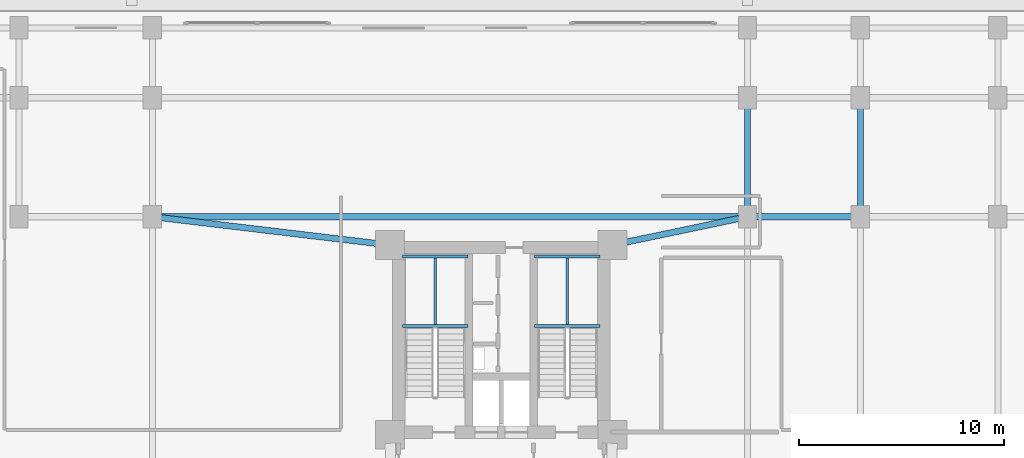
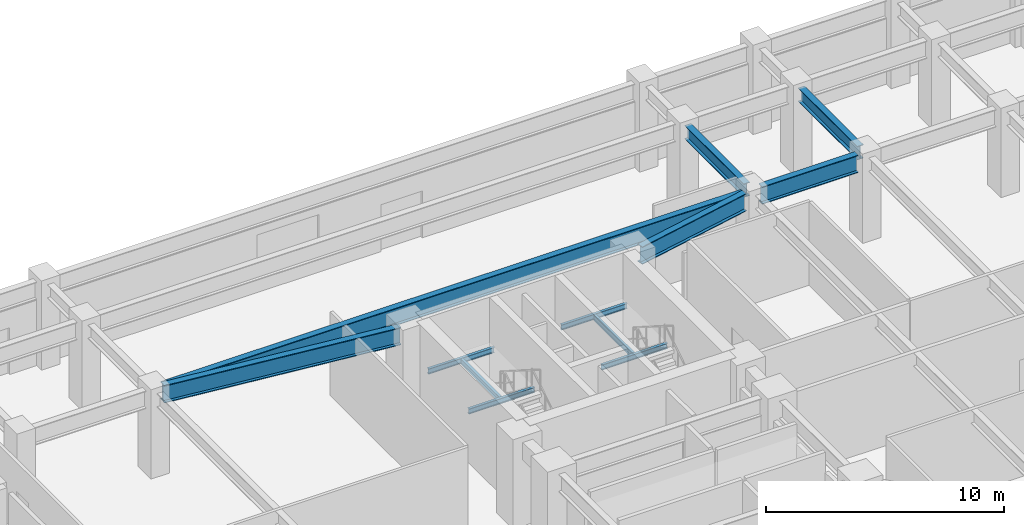
# One storey, part 8 of 23: 12 beams.
"""IFC4 building model written with IfcOpenShell, lengths in metres."""

from ifc_helpers import new_model, si_unit, direction, frame, origin, origin_2d, place, context, subcontext, project, spatial, i_section, extrude, material, material_profile, profile_set, type_object, element, save


model = new_model("IFC4")

# Units and contexts
model_context = context("Model", 3, precision=1e-05, world=origin(), true_north=direction((0.0, 1.0)))
body_context = subcontext(model_context, "Body", "Model", "MODEL_VIEW")
ifc_project = project(units=[si_unit("LENGTHUNIT", "METRE"), si_unit("AREAUNIT", "SQUARE_METRE"), si_unit("VOLUMEUNIT", "CUBIC_METRE"), si_unit("PLANEANGLEUNIT", "RADIAN"), si_unit("MASSUNIT", "GRAM", prefix="KILO")], contexts=[model_context])

# Site, building, storey
site_placement = place(None, origin())
site = spatial("IfcSite", under=ifc_project, at=site_placement, CompositionType="ELEMENT")
building_placement = place(site_placement, origin())
building = spatial("IfcBuilding", under=site, at=building_placement, Name="Varnakorn Sky Granary", CompositionType="ELEMENT")
storey_placement = place(building_placement, origin())
storey = spatial("IfcBuildingStorey", under=building, at=storey_placement, Name="L00", CompositionType="ELEMENT", Elevation=0.0)

# Beams
ifc_material = material(Name="Steel S355JR", Category="steel")
ifc_material_profile_1 = material_profile(ifc_material, i_section(OverallWidth=0.135009765625, OverallDepth=0.27001953125, WebThickness=0.006591796875, FlangeThickness=0.01025390625, at=origin_2d()), Name="IPE 270")
ifc_profile_set_1 = profile_set([ifc_material_profile_1], Name="Steel S355JR")
beam_type_1 = type_object("IfcBeamType", Name="BM-LND-270", PredefinedType="BEAM", material=ifc_profile_set_1)
for number, where, z_axis, x_axis, name in (
    (1, (-1.820068359375, 8.679931640625, 1.965087890625), (1.0, 0.0, 0.0), (0.0, 1.0, 0.0), "Stair ST-1 Landing Trimmer Beam A L00-1"),
    (2, (-1.820068359375, 12.06005859375, 1.965087890625), (1.0, 0.0, 0.0), (0.0, 1.0, 0.0), "Stair ST-1 Landing Trimmer Beam B L00-1"),
):
    element("IfcBeam", number, at=place(storey_placement, frame(where, z_axis=z_axis, x_axis=x_axis)), inside=storey, type_object=beam_type_1, Name=name, PredefinedType="BEAM", context=body_context, shape_type="SweptSolid", body=[
        extrude(i_section(OverallWidth=0.135009765625, OverallDepth=0.27001953125, WebThickness=0.006591796875, FlangeThickness=0.01025390625, at=origin_2d()), origin(), (0.0, 0.0, 1.0), 3.199951171875),
    ])
beam_1_placement = place(storey_placement, frame((-0.219970703125, 8.679931640625, 1.965087890625), z_axis=(0.0, 1.0, 0.0), x_axis=(-1.0, 0.0, 0.0)))
element("IfcBeam", 3, at=beam_1_placement, inside=storey, type_object=beam_type_1, Name="Stair ST-1 Landing Cross Beam C L00-1", PredefinedType="BEAM", context=body_context, shape_type="SweptSolid", body=[
    extrude(i_section(OverallWidth=0.135009765625, OverallDepth=0.27001953125, WebThickness=0.006591796875, FlangeThickness=0.01025390625, at=origin_2d()), origin(), (0.0, 0.0, 1.0), 3.380126953125),
])
for number, where, z_axis, x_axis, name in (
    (4, (4.6201171875, 8.679931640625, 1.965087890625), (1.0, 0.0, 0.0), (0.0, 1.0, 0.0), "Stair ST-2 Landing Trimmer Beam A L00-1"),
    (5, (4.6201171875, 12.06005859375, 1.965087890625), (1.0, 0.0, 0.0), (0.0, 1.0, 0.0), "Stair ST-2 Landing Trimmer Beam B L00-1"),
):
    element("IfcBeam", number, at=place(storey_placement, frame(where, z_axis=z_axis, x_axis=x_axis)), inside=storey, type_object=beam_type_1, Name=name, PredefinedType="BEAM", context=body_context, shape_type="SweptSolid", body=[
        extrude(i_section(OverallWidth=0.135009765625, OverallDepth=0.27001953125, WebThickness=0.006591796875, FlangeThickness=0.01025390625, at=origin_2d()), origin(), (0.0, 0.0, 1.0), 3.199951171875),
    ])
beam_2_placement = place(storey_placement, frame((6.219970703125, 8.679931640625, 1.965087890625), z_axis=(0.0, 1.0, 0.0), x_axis=(-1.0, 0.0, 0.0)))
element("IfcBeam", 6, at=beam_2_placement, inside=storey, type_object=beam_type_1, Name="Stair ST-2 Landing Cross Beam C L00-1", PredefinedType="BEAM", context=body_context, shape_type="SweptSolid", body=[
    extrude(i_section(OverallWidth=0.135009765625, OverallDepth=0.27001953125, WebThickness=0.006591796875, FlangeThickness=0.01025390625, at=origin_2d()), origin(), (0.0, 0.0, 1.0), 3.380126953125),
])
ifc_material_profile_2 = material_profile(ifc_material, i_section(OverallWidth=0.300048828125, OverallDepth=0.699951171875, WebThickness=0.01708984375, FlangeThickness=0.031982421875, at=origin_2d()), Name="HE 700 B")
ifc_profile_set_2 = profile_set([ifc_material_profile_2], Name="Steel S355JR")
beam_type_2 = type_object("IfcBeamType", Name="BM-PG-700", PredefinedType="T_BEAM", material=ifc_profile_set_2)
for number, where, z_axis, x_axis, name in (
    (7, (15.0, 14.419921875, 3.929931640625), (0.0, 1.0, 0.0), (-1.0, 0.0, 0.0), "Podium Y-Girder GY59 L00"),
    (8, (20.5, 14.419921875, 3.929931640625), (0.0, 1.0, 0.0), (-1.0, 0.0, 0.0), "Podium Y-Girder GY64 L00"),
):
    element("IfcBeam", number, at=place(storey_placement, frame(where, z_axis=z_axis, x_axis=x_axis)), inside=storey, type_object=beam_type_2, Name=name, PredefinedType="T_BEAM", context=body_context, shape_type="SweptSolid", body=[
        extrude(i_section(OverallWidth=0.300048828125, OverallDepth=0.699951171875, WebThickness=0.01708984375, FlangeThickness=0.031982421875, at=origin_2d()), origin(), (0.0, 0.0, 1.0), 4.9599609375),
    ])
ifc_material_profile_3 = material_profile(ifc_material, i_section(OverallWidth=0.300048828125, OverallDepth=0.89990234375, WebThickness=0.0185546875, FlangeThickness=0.034912109375, at=origin_2d()), Name="HE 900 B")
ifc_profile_set_3 = profile_set([ifc_material_profile_3], Name="Steel S355JR")
beam_type_3 = type_object("IfcBeamType", Name="BM-PG-900", PredefinedType="BEAM", material=ifc_profile_set_3)
beam_3_placement = place(storey_placement, frame((-13.580078125, 14.0, 3.830078125), z_axis=(1.0, 0.0, 0.0), x_axis=(0.0, 1.0, 0.0)))
element("IfcBeam", 9, at=beam_3_placement, inside=storey, type_object=beam_type_3, Name="Podium X-Girder GX22 L00", PredefinedType="BEAM", context=body_context, shape_type="SweptSolid", body=[
    extrude(i_section(OverallWidth=0.300048828125, OverallDepth=0.89990234375, WebThickness=0.0185546875, FlangeThickness=0.034912109375, at=origin_2d()), origin(), (0.0, 0.0, 1.0), 28.16015625),
])
beam_4_placement = place(storey_placement, frame((15.419921875, 14.0, 3.830078125), z_axis=(1.0, 0.0, 0.0), x_axis=(0.0, 1.0, 0.0)))
element("IfcBeam", 10, at=beam_4_placement, inside=storey, type_object=beam_type_3, Name="Podium X-Girder GX23 L00", PredefinedType="BEAM", context=body_context, shape_type="SweptSolid", body=[
    extrude(i_section(OverallWidth=0.300048828125, OverallDepth=0.89990234375, WebThickness=0.0185546875, FlangeThickness=0.034912109375, at=origin_2d()), origin(), (0.0, 0.0, 1.0), 4.66015625),
])
beam_5_placement = place(storey_placement, frame((-13.5830078125, 13.9501953125, 3.830078125), z_axis=(0.992975027395, -0.118324109839, 0.0), x_axis=(0.118324109839, 0.992975027395, 0.0)))
element("IfcBeam", 11, at=beam_5_placement, inside=storey, type_object=beam_type_3, Name="Podium Core Tie Girder 1 L00", PredefinedType="BEAM", context=body_context, shape_type="SweptSolid", body=[
    extrude(i_section(OverallWidth=0.300048828125, OverallDepth=0.89990234375, WebThickness=0.0185546875, FlangeThickness=0.034912109375, at=origin_2d()), origin(), (0.0, 0.0, 1.0), 10.822021484375),
])
beam_6_placement = place(storey_placement, frame((14.5888671875, 13.913818359375, 3.830078125), z_axis=(-0.978708882908, -0.205253313045, 0.0), x_axis=(0.205253313045, -0.978708882908, 0.0)))
element("IfcBeam", 12, at=beam_6_placement, inside=storey, type_object=beam_type_3, Name="Podium Core Tie Girder 3 L00", PredefinedType="BEAM", context=body_context, shape_type="SweptSolid", body=[
    extrude(i_section(OverallWidth=0.300048828125, OverallDepth=0.89990234375, WebThickness=0.0185546875, FlangeThickness=0.034912109375, at=origin_2d()), origin(), (0.0, 0.0, 1.0), 5.883056640625),
])

save(model, "model.ifc")
